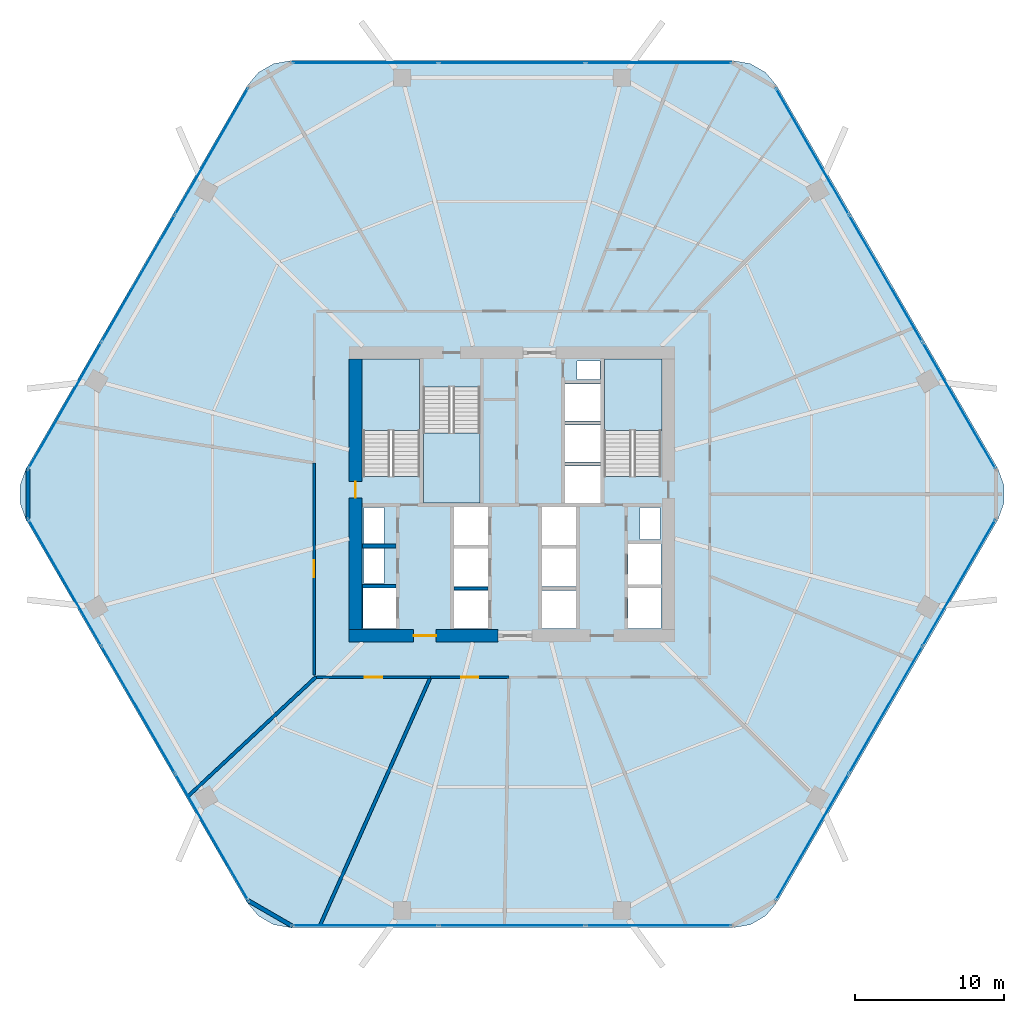
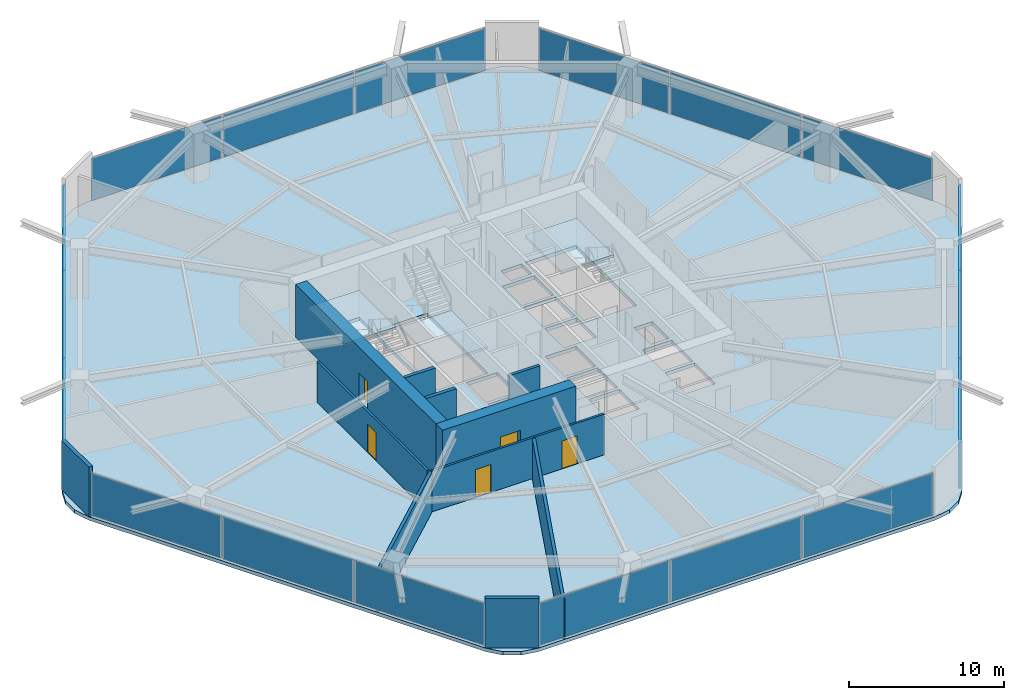
# One storey, part 21 of 25: 18 plates, 12 walls, 5 doors, 4 slabs, 5 openings, 9 elements without a shape of their own.
"""IFC4 building model written with IfcOpenShell, lengths in metres."""

from ifc_helpers import new_model, si_unit, direction, frame, frame_2d, origin, origin_2d, place, context, subcontext, project, spatial, polyline, rectangle, outline, extrude, material, layer, layer_set, type_object, element, fill, aggregate, save


model = new_model("IFC4")

# Units and contexts
model_context = context("Model", 3, precision=1e-05, world=origin(), true_north=direction((0.0, 1.0)))
body_context = subcontext(model_context, "Body", "Model", "MODEL_VIEW")
ifc_project = project(units=[si_unit("LENGTHUNIT", "METRE"), si_unit("AREAUNIT", "SQUARE_METRE"), si_unit("VOLUMEUNIT", "CUBIC_METRE"), si_unit("PLANEANGLEUNIT", "RADIAN"), si_unit("MASSUNIT", "GRAM", prefix="KILO")], contexts=[model_context])

# Site, building, storey
site_placement = place(None, origin())
site = spatial("IfcSite", under=ifc_project, at=site_placement, CompositionType="ELEMENT")
building_placement = place(site_placement, origin())
building = spatial("IfcBuilding", under=site, at=building_placement, Name="Zuhravey Tower", CompositionType="ELEMENT")
storey_placement = place(building_placement, frame((0.0, 0.0, 70.800048828125)))
storey = spatial("IfcBuildingStorey", under=building, at=storey_placement, Name="L17", CompositionType="ELEMENT", Elevation=70.800048828125)

# Curtain wall, plates
ifc_material_1 = material(Name="Thermally broken anodised aluminium", Category="aluminium")
curtain_wall_type = type_object("IfcCurtainWallType", Name="School Low-E Unitised Curtain Wall CW1", PredefinedType="NOTDEFINED", material=ifc_material_1)
curtain_wall_1_placement = place(storey_placement, origin())
curtain_wall_1 = element("IfcCurtainWall", 1, at=curtain_wall_1_placement, inside=storey, type_object=curtain_wall_type, Name="L17 CW1 CW-L17-F6-1", PredefinedType="NOTDEFINED")
ifc_material_2 = material(Name="Laminated acoustic low-E vision glass", Category="glass")
ifc_layer_1 = layer(ifc_material_2, 0.048095703125)
ifc_layer_set_1 = layer_set([ifc_layer_1], Name="Laminated acoustic low-E vision glass")
plate_type = type_object("IfcPlateType", Name="Acoustic School Vision Panel", PredefinedType="CURTAIN_PANEL", material=ifc_layer_set_1)
plate_1_placement = place(storey_placement, frame((66.000732421875, 26.045654296875, 0.08984375), z_axis=(0.0, 0.0, 1.0), x_axis=(-0.499999794119, -0.86602552265, 0.0)))
plate_1 = element("IfcPlate", 2, at=plate_1_placement, type_object=plate_type, Name="CW1 panel 1.1", PredefinedType="CURTAIN_PANEL", context=body_context, shape_type="SweptSolid", body=[
    extrude(rectangle(XDim=9.7314453125, YDim=0.048095703125, at=origin_2d()), origin(), (0.0, 0.0, 1.0), 3.31201171875),
])
plate_2_placement = place(storey_placement, frame((61.078857421875, 17.520751953125, 0.08984375), z_axis=(0.0, 0.0, 1.0), x_axis=(-0.499999794119, -0.86602552265, 0.0)))
plate_2 = element("IfcPlate", 3, at=plate_2_placement, type_object=plate_type, Name="CW1 panel 2.1", PredefinedType="CURTAIN_PANEL", context=body_context, shape_type="SweptSolid", body=[
    extrude(rectangle(XDim=9.7763671875, YDim=0.048095703125, at=origin_2d()), origin(), (0.0, 0.0, 1.0), 3.31201171875),
])
plate_3_placement = place(storey_placement, frame((56.15673828125, 8.995849609375, 0.08984375), z_axis=(0.0, 0.0, 1.0), x_axis=(-0.499999794119, -0.86602552265, 0.0)))
plate_3 = element("IfcPlate", 4, at=plate_3_placement, type_object=plate_type, Name="CW1 panel 3.1", PredefinedType="CURTAIN_PANEL", context=body_context, shape_type="SweptSolid", body=[
    extrude(rectangle(XDim=9.7314453125, YDim=0.048095703125, at=origin_2d()), origin(), (0.0, 0.0, 1.0), 3.31201171875),
])
aggregate(curtain_wall_1, [plate_1, plate_2, plate_3])

curtain_wall_2_placement = place(storey_placement, origin())
curtain_wall_2 = element("IfcCurtainWall", 5, at=curtain_wall_2_placement, inside=storey, type_object=curtain_wall_type, Name="L17 CW1 CW-L17-F5-1", PredefinedType="NOTDEFINED")
plate_4_placement = place(storey_placement, frame((45.84375, 3.04150390625, 0.08984375), z_axis=(0.0, 0.0, 1.0), x_axis=(-1.0, 0.0, 0.0)))
plate_4 = element("IfcPlate", 6, at=plate_4_placement, type_object=plate_type, Name="CW1 panel 1.1", PredefinedType="CURTAIN_PANEL", context=body_context, shape_type="SweptSolid", body=[
    extrude(rectangle(XDim=9.7314453125, YDim=0.048095703125, at=origin_2d()), origin(), (0.0, 0.0, 1.0), 3.31201171875),
])
plate_5_placement = place(storey_placement, frame((36.0, 3.04150390625, 0.08984375), z_axis=(0.0, 0.0, 1.0), x_axis=(-1.0, 0.0, 0.0)))
plate_5 = element("IfcPlate", 7, at=plate_5_placement, type_object=plate_type, Name="CW1 panel 2.1", PredefinedType="CURTAIN_PANEL", context=body_context, shape_type="SweptSolid", body=[
    extrude(rectangle(XDim=9.7763671875, YDim=0.048095703125, at=origin_2d()), origin(), (0.0, 0.0, 1.0), 3.31201171875),
])
plate_6_placement = place(storey_placement, frame((26.15625, 3.04150390625, 0.08984375), z_axis=(0.0, 0.0, 1.0), x_axis=(-1.0, 0.0, 0.0)))
plate_6 = element("IfcPlate", 8, at=plate_6_placement, type_object=plate_type, Name="CW1 panel 3.1", PredefinedType="CURTAIN_PANEL", context=body_context, shape_type="SweptSolid", body=[
    extrude(rectangle(XDim=9.7314453125, YDim=0.048095703125, at=origin_2d()), origin(), (0.0, 0.0, 1.0), 3.31201171875),
])
aggregate(curtain_wall_2, [plate_4, plate_5, plate_6])

curtain_wall_3_placement = place(storey_placement, origin())
curtain_wall_3 = element("IfcCurtainWall", 9, at=curtain_wall_3_placement, inside=storey, type_object=curtain_wall_type, Name="L17 CW1 CW-L17-F4-1", PredefinedType="NOTDEFINED")
plate_7_placement = place(storey_placement, frame((15.84326171875, 8.995849609375, 0.08984375), z_axis=(0.0, 0.0, 1.0), x_axis=(-0.499999794119, 0.86602552265, 0.0)))
plate_7 = element("IfcPlate", 10, at=plate_7_placement, type_object=plate_type, Name="CW1 panel 1.1", PredefinedType="CURTAIN_PANEL", context=body_context, shape_type="SweptSolid", body=[
    extrude(rectangle(XDim=9.7314453125, YDim=0.048095703125, at=origin_2d()), origin(), (0.0, 0.0, 1.0), 3.31201171875),
])
plate_8_placement = place(storey_placement, frame((10.921142578125, 17.520751953125, 0.08984375), z_axis=(0.0, 0.0, 1.0), x_axis=(-0.499999794119, 0.86602552265, 0.0)))
plate_8 = element("IfcPlate", 11, at=plate_8_placement, type_object=plate_type, Name="CW1 panel 2.1", PredefinedType="CURTAIN_PANEL", context=body_context, shape_type="SweptSolid", body=[
    extrude(rectangle(XDim=9.7763671875, YDim=0.048095703125, at=origin_2d()), origin(), (0.0, 0.0, 1.0), 3.31201171875),
])
plate_9_placement = place(storey_placement, frame((5.999267578125, 26.045654296875, 0.08984375), z_axis=(0.0, 0.0, 1.0), x_axis=(-0.499999794119, 0.86602552265, 0.0)))
plate_9 = element("IfcPlate", 12, at=plate_9_placement, type_object=plate_type, Name="CW1 panel 3.1", PredefinedType="CURTAIN_PANEL", context=body_context, shape_type="SweptSolid", body=[
    extrude(rectangle(XDim=9.7314453125, YDim=0.048095703125, at=origin_2d()), origin(), (0.0, 0.0, 1.0), 3.31201171875),
])
aggregate(curtain_wall_3, [plate_7, plate_8, plate_9])

curtain_wall_4_placement = place(storey_placement, origin())
curtain_wall_4 = element("IfcCurtainWall", 13, at=curtain_wall_4_placement, inside=storey, type_object=curtain_wall_type, Name="L17 CW1 CW-L17-F3-1", PredefinedType="NOTDEFINED")
plate_10_placement = place(storey_placement, frame((5.999267578125, 37.954345703125, 0.08984375), z_axis=(0.0, 0.0, 1.0), x_axis=(0.499999794119, 0.86602552265, 0.0)))
plate_10 = element("IfcPlate", 14, at=plate_10_placement, type_object=plate_type, Name="CW1 panel 1.1", PredefinedType="CURTAIN_PANEL", context=body_context, shape_type="SweptSolid", body=[
    extrude(rectangle(XDim=9.7314453125, YDim=0.048095703125, at=origin_2d()), origin(), (0.0, 0.0, 1.0), 3.31201171875),
])
plate_11_placement = place(storey_placement, frame((10.921142578125, 46.479248046875, 0.08984375), z_axis=(0.0, 0.0, 1.0), x_axis=(0.499999794119, 0.86602552265, 0.0)))
plate_11 = element("IfcPlate", 15, at=plate_11_placement, type_object=plate_type, Name="CW1 panel 2.1", PredefinedType="CURTAIN_PANEL", context=body_context, shape_type="SweptSolid", body=[
    extrude(rectangle(XDim=9.7763671875, YDim=0.048095703125, at=origin_2d()), origin(), (0.0, 0.0, 1.0), 3.31201171875),
])
plate_12_placement = place(storey_placement, frame((15.84326171875, 55.004150390625, 0.08984375), z_axis=(0.0, 0.0, 1.0), x_axis=(0.499999794119, 0.86602552265, 0.0)))
plate_12 = element("IfcPlate", 16, at=plate_12_placement, type_object=plate_type, Name="CW1 panel 3.1", PredefinedType="CURTAIN_PANEL", context=body_context, shape_type="SweptSolid", body=[
    extrude(rectangle(XDim=9.7314453125, YDim=0.048095703125, at=origin_2d()), origin(), (0.0, 0.0, 1.0), 3.31201171875),
])
aggregate(curtain_wall_4, [plate_10, plate_11, plate_12])

curtain_wall_5_placement = place(storey_placement, origin())
curtain_wall_5 = element("IfcCurtainWall", 17, at=curtain_wall_5_placement, inside=storey, type_object=curtain_wall_type, Name="L17 CW1 CW-L17-F2-1", PredefinedType="NOTDEFINED")
plate_13_placement = place(storey_placement, frame((26.15625, 60.95849609375, 0.08984375), z_axis=(0.0, 0.0, 1.0), x_axis=(1.0, 0.0, 0.0)))
plate_13 = element("IfcPlate", 18, at=plate_13_placement, type_object=plate_type, Name="CW1 panel 1.1", PredefinedType="CURTAIN_PANEL", context=body_context, shape_type="SweptSolid", body=[
    extrude(rectangle(XDim=9.7314453125, YDim=0.048095703125, at=origin_2d()), origin(), (0.0, 0.0, 1.0), 3.31201171875),
])
plate_14_placement = place(storey_placement, frame((36.0, 60.95849609375, 0.08984375), z_axis=(0.0, 0.0, 1.0), x_axis=(1.0, 0.0, 0.0)))
plate_14 = element("IfcPlate", 19, at=plate_14_placement, type_object=plate_type, Name="CW1 panel 2.1", PredefinedType="CURTAIN_PANEL", context=body_context, shape_type="SweptSolid", body=[
    extrude(rectangle(XDim=9.7763671875, YDim=0.048095703125, at=origin_2d()), origin(), (0.0, 0.0, 1.0), 3.31201171875),
])
plate_15_placement = place(storey_placement, frame((45.84375, 60.95849609375, 0.08984375), z_axis=(0.0, 0.0, 1.0), x_axis=(1.0, 0.0, 0.0)))
plate_15 = element("IfcPlate", 20, at=plate_15_placement, type_object=plate_type, Name="CW1 panel 3.1", PredefinedType="CURTAIN_PANEL", context=body_context, shape_type="SweptSolid", body=[
    extrude(rectangle(XDim=9.7314453125, YDim=0.048095703125, at=origin_2d()), origin(), (0.0, 0.0, 1.0), 3.31201171875),
])
aggregate(curtain_wall_5, [plate_13, plate_14, plate_15])

curtain_wall_6_placement = place(storey_placement, origin())
curtain_wall_6 = element("IfcCurtainWall", 21, at=curtain_wall_6_placement, inside=storey, type_object=curtain_wall_type, Name="L17 CW1 CW-L17-F1-1", PredefinedType="NOTDEFINED")
plate_16_placement = place(storey_placement, frame((56.15673828125, 55.004150390625, 0.08984375), z_axis=(0.0, 0.0, 1.0), x_axis=(0.499999794119, -0.86602552265, 0.0)))
plate_16 = element("IfcPlate", 22, at=plate_16_placement, type_object=plate_type, Name="CW1 panel 1.1", PredefinedType="CURTAIN_PANEL", context=body_context, shape_type="SweptSolid", body=[
    extrude(rectangle(XDim=9.7314453125, YDim=0.048095703125, at=origin_2d()), origin(), (0.0, 0.0, 1.0), 3.31201171875),
])
plate_17_placement = place(storey_placement, frame((61.078857421875, 46.479248046875, 0.08984375), z_axis=(0.0, 0.0, 1.0), x_axis=(0.499999794119, -0.86602552265, 0.0)))
plate_17 = element("IfcPlate", 23, at=plate_17_placement, type_object=plate_type, Name="CW1 panel 2.1", PredefinedType="CURTAIN_PANEL", context=body_context, shape_type="SweptSolid", body=[
    extrude(rectangle(XDim=9.7763671875, YDim=0.048095703125, at=origin_2d()), origin(), (0.0, 0.0, 1.0), 3.31201171875),
])
plate_18_placement = place(storey_placement, frame((66.000732421875, 37.954345703125, 0.08984375), z_axis=(0.0, 0.0, 1.0), x_axis=(0.499999794119, -0.86602552265, 0.0)))
plate_18 = element("IfcPlate", 24, at=plate_18_placement, type_object=plate_type, Name="CW1 panel 3.1", PredefinedType="CURTAIN_PANEL", context=body_context, shape_type="SweptSolid", body=[
    extrude(rectangle(XDim=9.7314453125, YDim=0.048095703125, at=origin_2d()), origin(), (0.0, 0.0, 1.0), 3.31201171875),
])
aggregate(curtain_wall_6, [plate_16, plate_17, plate_18])

# Slab
ifc_material_3 = material(Name="Concrete C50/60", Category="concrete")
ifc_layer_2 = layer(ifc_material_3, 0.280029296875)
ifc_layer_set_2 = layer_set([ifc_layer_2], Name="Concrete C50/60")
slab_type_1 = type_object("IfcSlabType", Name="School Composite Floor Slab 280", PredefinedType="FLOOR", material=ifc_layer_set_2)
slab_1_placement = place(storey_placement, frame((0.0, 0.0, -0.280029296875)))
element("IfcSlab", 25, at=slab_1_placement, inside=storey, type_object=slab_type_1, Name="L17 Floor Slab FS28", PredefinedType="FLOOR", context=body_context, shape_type="SweptSolid", body=[
    extrude(outline(polyline([(68.618408203125, 30.300048828125), (69.0224609375, 31.40966796875), (69.0224609375, 32.59033203125), (68.618408203125, 33.699951171875), (53.781494140625, 59.3984375), (53.0224609375, 60.302978515625), (52.0, 60.893310546875), (50.8369140625, 61.098388671875), (21.1630859375, 61.098388671875), (20.0, 60.893310546875), (18.9775390625, 60.302978515625), (18.218505859375, 59.3984375), (3.381591796875, 33.699951171875), (2.9775390625, 32.59033203125), (2.9775390625, 31.40966796875), (3.381591796875, 30.300048828125), (18.218505859375, 4.6015625), (18.9775390625, 3.697021484375), (20.0, 3.106689453125), (21.1630859375, 2.901611328125), (50.8369140625, 2.901611328125), (52.0, 3.106689453125), (53.0224609375, 3.697021484375), (53.781494140625, 4.6015625), (68.618408203125, 30.300048828125)]), holes=[polyline([(29.800048828125, 33.20068359375), (29.800048828125, 41.0), (26.0, 41.0), (26.0, 33.20068359375), (29.800048828125, 33.20068359375)]), polyline([(46.0, 33.20068359375), (46.0, 41.0), (42.199951171875, 41.0), (42.199951171875, 33.20068359375), (46.0, 33.20068359375)]), polyline([(30.050048828125, 39.199462890625), (30.050048828125, 31.39990234375), (33.85009765625, 31.39990234375), (33.85009765625, 39.199462890625), (30.050048828125, 39.199462890625)]), polyline([(32.10009765625, 23.0), (34.39990234375, 23.0), (34.39990234375, 25.550048828125), (32.10009765625, 25.550048828125), (32.10009765625, 23.0)]), polyline([(32.10009765625, 25.800048828125), (34.39990234375, 25.800048828125), (34.39990234375, 28.35009765625), (32.10009765625, 28.35009765625), (32.10009765625, 25.800048828125)]), polyline([(32.10009765625, 28.60009765625), (34.39990234375, 28.60009765625), (34.39990234375, 31.14990234375), (32.10009765625, 31.14990234375), (32.10009765625, 28.60009765625)]), polyline([(38.0, 23.0), (40.300048828125, 23.0), (40.300048828125, 25.550048828125), (38.0, 25.550048828125), (38.0, 23.0)]), polyline([(38.0, 25.800048828125), (40.300048828125, 25.800048828125), (40.300048828125, 28.35009765625), (38.0, 28.35009765625), (38.0, 25.800048828125)]), polyline([(38.0, 28.60009765625), (40.300048828125, 28.60009765625), (40.300048828125, 31.14990234375), (38.0, 31.14990234375), (38.0, 28.60009765625)]), polyline([(39.550048828125, 31.39990234375), (41.949951171875, 31.39990234375), (41.949951171875, 33.89990234375), (39.550048828125, 33.89990234375), (39.550048828125, 31.39990234375)]), polyline([(39.550048828125, 34.14990234375), (41.949951171875, 34.14990234375), (41.949951171875, 36.64990234375), (39.550048828125, 36.64990234375), (39.550048828125, 34.14990234375)]), polyline([(39.550048828125, 36.89990234375), (41.949951171875, 36.89990234375), (41.949951171875, 39.39990234375), (39.550048828125, 39.39990234375), (39.550048828125, 36.89990234375)]), polyline([(26.0, 23.0), (28.199951171875, 23.0), (28.199951171875, 25.699951171875), (26.0, 25.699951171875), (26.0, 23.0)]), polyline([(43.800048828125, 23.0), (46.0, 23.0), (46.0, 25.699951171875), (43.800048828125, 25.699951171875), (43.800048828125, 23.0)]), polyline([(43.800048828125, 25.949951171875), (46.0, 25.949951171875), (46.0, 28.64990234375), (43.800048828125, 28.64990234375), (43.800048828125, 25.949951171875)]), polyline([(26.050048828125, 26.0), (27.39990234375, 26.0), (27.39990234375, 28.35009765625), (26.050048828125, 28.35009765625), (26.050048828125, 26.0)]), polyline([(26.050048828125, 28.699951171875), (27.39990234375, 28.699951171875), (27.39990234375, 31.10009765625), (26.050048828125, 31.10009765625), (26.050048828125, 28.699951171875)]), polyline([(44.60009765625, 28.949951171875), (45.949951171875, 28.949951171875), (45.949951171875, 31.10009765625), (44.60009765625, 31.10009765625), (44.60009765625, 28.949951171875)]), polyline([(40.35009765625, 39.699951171875), (41.89990234375, 39.699951171875), (41.89990234375, 40.949951171875), (40.35009765625, 40.949951171875), (40.35009765625, 39.699951171875)])]), origin(), (0.0, 0.0, 1.0), 0.280029296875),
])

# Stair, slab
ifc_material_4 = material(Name="Concrete C40/50", Category="concrete")
stair_type = type_object("IfcStairType", Name="School Storey Stair Assembly 4200", PredefinedType="HALF_TURN_STAIR", material=ifc_material_4)
stair_1_placement = place(storey_placement, origin())
stair_1 = element("IfcStair", 26, at=stair_1_placement, inside=storey, type_object=stair_type, Name="L17 Core Exit Stair ST1", PredefinedType="HALF_TURN_STAIR")
ifc_layer_3 = layer(ifc_material_4, 0.199951171875)
ifc_layer_set_3 = layer_set([ifc_layer_3], Name="Concrete C40/50")
slab_type_2 = type_object("IfcSlabType", Name="Stair Landing Slab 200", PredefinedType="LANDING", material=ifc_layer_set_3)
slab_2_placement = place(storey_placement, frame((0.0, 0.0, 1.89990234375)))
slab_2 = element("IfcSlab", 27, at=slab_2_placement, type_object=slab_type_2, Name="ST1 landing 1", PredefinedType="LANDING", context=body_context, shape_type="SweptSolid", body=[
    extrude(outline(polyline([(29.800048828125, 36.280029296875), (29.800048828125, 41.072998046875), (25.927001953125, 41.072998046875), (25.927001953125, 36.280029296875), (29.800048828125, 36.280029296875)])), origin(), (0.0, 0.0, 1.0), 0.199951171875),
])
aggregate(stair_1, [slab_2])

stair_2_placement = place(storey_placement, origin())
stair_2 = element("IfcStair", 28, at=stair_2_placement, inside=storey, type_object=stair_type, Name="L17 Core Exit Stair ST2", PredefinedType="HALF_TURN_STAIR")
slab_3_placement = place(storey_placement, frame((0.0, 0.0, 1.89990234375)))
slab_3 = element("IfcSlab", 29, at=slab_3_placement, type_object=slab_type_2, Name="ST2 landing 1", PredefinedType="LANDING", context=body_context, shape_type="SweptSolid", body=[
    extrude(outline(polyline([(46.072998046875, 36.280029296875), (46.072998046875, 41.072998046875), (42.199951171875, 41.072998046875), (42.199951171875, 36.280029296875), (46.072998046875, 36.280029296875)])), origin(), (0.0, 0.0, 1.0), 0.199951171875),
])
aggregate(stair_2, [slab_3])

stair_3_placement = place(storey_placement, origin())
stair_3 = element("IfcStair", 30, at=stair_3_placement, inside=storey, type_object=stair_type, Name="L17 Core Exit Stair ST3", PredefinedType="HALF_TURN_STAIR")
slab_4_placement = place(storey_placement, frame((0.0, 0.0, 1.89990234375)))
slab_4 = element("IfcSlab", 31, at=slab_4_placement, type_object=slab_type_2, Name="ST3 landing 1", PredefinedType="LANDING", context=body_context, shape_type="SweptSolid", body=[
    extrude(outline(polyline([(30.050048828125, 36.1201171875), (30.050048828125, 31.39990234375), (33.85009765625, 31.39990234375), (33.85009765625, 36.1201171875), (30.050048828125, 36.1201171875)])), origin(), (0.0, 0.0, 1.0), 0.199951171875),
])
aggregate(stair_3, [slab_4])

# Wall, opening, door
ifc_material_5 = material(Name="Concrete C60/75", Category="concrete")
ifc_layer_4 = layer(ifc_material_5, 0.85009765625)
ifc_layer_set_4 = layer_set([ifc_layer_4], Name="Concrete C60/75")
wall_type_1 = type_object("IfcWallType", Name="Core Shear Wall 850", PredefinedType="SHEAR", material=ifc_layer_set_4)
wall_1_placement = place(storey_placement, frame((25.074951171875, 22.5, 0.0), z_axis=(0.0, 0.0, 1.0), x_axis=(1.0, 0.0, 0.0)))
wall_1 = element("IfcWall", 32, at=wall_1_placement, inside=storey, type_object=wall_type_1, Name="L17 South-West Core Shear Wall CW85", PredefinedType="SHEAR", context=body_context, shape_type="SweptSolid", body=[
    extrude(rectangle(XDim=9.97509765625, YDim=0.85009765625, at=frame_2d((4.987548828125, 0.0))), origin(), (0.0, 0.0, 1.0), 4.199951171875),
])
opening_1_placement = place(wall_1_placement, frame((4.324951171875, 0.0, 0.0)))
opening_1 = element("IfcOpeningElement", 33, at=opening_1_placement, cuts=wall_1, Name="Opening FFD1", PredefinedType="OPENING", context=body_context, shape_type="SweptSolid", body=[
    extrude(rectangle(XDim=1.5, YDim=2.14990234375, at=frame_2d((0.75, 1.074951171875))), frame((0.0, 0.43701171875, 0.0), z_axis=(0.0, -1.0, 0.0), x_axis=(1.0, 0.0, 0.0)), (0.0, 0.0, 1.0), 0.8740234375),
])
ifc_material_6 = material(Name="Galvanised fire-rated steel leaf", Category="steel")
door_type_1 = type_object("IfcDoorType", Name="Firefighting Lobby Double Door 1500x2150", OperationType="DOUBLE_DOOR_SINGLE_SWING", PredefinedType="DOOR", material=ifc_material_6)
door_1_placement = place(opening_1_placement, origin())
door_1 = element("IfcDoor", 34, at=door_1_placement, inside=storey, type_object=door_type_1, Name="L17 Firefighting Lobby West Door", OperationType="DOUBLE_DOOR_SINGLE_SWING", OverallHeight=2.14990234375, OverallWidth=1.5, PredefinedType="DOOR", context=body_context, shape_type="SweptSolid", body=[
    extrude(rectangle(XDim=1.5, YDim=2.14990234375, at=frame_2d((0.75, 1.074951171875))), frame((0.0, 0.02490234375, 0.0), z_axis=(0.0, -1.0, 0.0), x_axis=(1.0, 0.0, 0.0)), (0.0, 0.0, 1.0), 0.050048828125),
])
fill(opening_1, door_1)

wall_2_placement = place(storey_placement, frame((25.5, 22.925048828125, 0.0), z_axis=(0.0, 0.0, 1.0), x_axis=(0.0, 1.0, 0.0)))
wall_2 = element("IfcWall", 35, at=wall_2_placement, inside=storey, type_object=wall_type_1, Name="L17 West Core Shear Wall CW85", PredefinedType="SHEAR", context=body_context, shape_type="SweptSolid", body=[
    extrude(rectangle(XDim=18.14990234375, YDim=0.85009765625, at=frame_2d((9.074951171875, 0.0))), origin(), (0.0, 0.0, 1.0), 4.199951171875),
])
opening_2_placement = place(wall_2_placement, frame((8.824951171875, 0.0, 0.0)))
opening_2 = element("IfcOpeningElement", 36, at=opening_2_placement, cuts=wall_2, Name="Opening STD1", PredefinedType="OPENING", context=body_context, shape_type="SweptSolid", body=[
    extrude(rectangle(XDim=1.10009765625, YDim=2.14990234375, at=frame_2d((0.550048828125, 1.074951171875))), frame((0.0, 0.43701171875, 0.0), z_axis=(0.0, -1.0, 0.0), x_axis=(1.0, 0.0, 0.0)), (0.0, 0.0, 1.0), 0.8740234375),
])
door_type_2 = type_object("IfcDoorType", Name="Protected Stair Fire Door 1100x2150", OperationType="NOTDEFINED", PredefinedType="USERDEFINED", material=ifc_material_6)
door_2_placement = place(opening_2_placement, frame((1.10009765625, 0.0, 0.0), z_axis=(0.0, 0.0, 1.0), x_axis=(-1.0, 0.0, 0.0)))
door_2 = element("IfcDoor", 37, at=door_2_placement, inside=storey, type_object=door_type_2, Name="L17 Stair ST1 Door", ObjectType="EXITDOOR", OperationType="SINGLE_SWING_LEFT", OverallHeight=2.14990234375, OverallWidth=1.10009765625, PredefinedType="USERDEFINED", context=body_context, shape_type="SweptSolid", body=[
    extrude(rectangle(XDim=1.10009765625, YDim=2.14990234375, at=frame_2d((0.550048828125, 1.074951171875))), frame((0.0, 0.02490234375, 0.0), z_axis=(0.0, -1.0, 0.0), x_axis=(1.0, 0.0, 0.0)), (0.0, 0.0, 1.0), 0.050048828125),
])
fill(opening_2, door_2)

ifc_material_7 = material(Name="Gypsum fire-rated stud partition")
ifc_layer_5 = layer(ifc_material_7, 0.159912109375)
ifc_layer_set_5 = layer_set([ifc_layer_5], Name="Gypsum fire-rated stud partition")
wall_type_2 = type_object("IfcWallType", Name="Corridor Fire Partition 160", PredefinedType="PARTITIONING", material=ifc_layer_set_5)
wall_3_placement = place(storey_placement, frame((22.715087890625, 34.10400390625, 0.0), z_axis=(0.0, 0.0, 1.0), x_axis=(0.0, -1.0, 0.0)))
wall_3 = element("IfcWall", 38, at=wall_3_placement, inside=storey, type_object=wall_type_2, Name="L17 IW16 Partition 025", PredefinedType="PARTITIONING", context=body_context, shape_type="SweptSolid", body=[
    extrude(rectangle(XDim=14.22900390625, YDim=0.159912109375, at=frame_2d((7.114501953125, 0.0))), origin(), (0.0, 0.0, 1.0), 3.219970703125),
])
opening_3_placement = place(wall_3_placement, frame((6.53955078125, 0.0, 0.0)))
opening_3 = element("IfcOpeningElement", 39, at=opening_3_placement, cuts=wall_3, Name="Opening CLD1", PredefinedType="OPENING", context=body_context, shape_type="SweptSolid", body=[
    extrude(rectangle(XDim=1.14990234375, YDim=2.199951171875, at=frame_2d((0.574951171875, 1.10009765625))), frame((0.0, 0.092041015625, 0.0), z_axis=(0.0, -1.0, 0.0), x_axis=(1.0, 0.0, 0.0)), (0.0, 0.0, 1.0), 0.183837890625),
])
ifc_material_8 = material(Name="Acoustic timber leaf with vision lite", Category="wood")
door_type_3 = type_object("IfcDoorType", Name="Classroom Acoustic Door 1150x2200", OperationType="NOTDEFINED", PredefinedType="DOOR", material=ifc_material_8)
door_3_placement = place(opening_3_placement, frame((1.14990234375, 0.0, 0.0), z_axis=(0.0, 0.0, 1.0), x_axis=(-1.0, 0.0, 0.0)))
door_3 = element("IfcDoor", 40, at=door_3_placement, inside=storey, type_object=door_type_3, Name="L17 Door 025.1", OperationType="SINGLE_SWING_LEFT", OverallHeight=2.199951171875, OverallWidth=1.14990234375, PredefinedType="DOOR", context=body_context, shape_type="SweptSolid", body=[
    extrude(rectangle(XDim=1.14990234375, YDim=2.199951171875, at=frame_2d((0.574951171875, 1.10009765625))), frame((0.0, 0.02490234375, 0.0), z_axis=(0.0, -1.0, 0.0), x_axis=(1.0, 0.0, 0.0)), (0.0, 0.0, 1.0), 0.050048828125),
])
fill(opening_3, door_3)

wall_4_placement = place(storey_placement, frame((22.875, 19.715087890625, 0.0), z_axis=(0.0, 0.0, 1.0), x_axis=(1.0, 0.0, 0.0)))
wall_4 = element("IfcWall", 41, at=wall_4_placement, inside=storey, type_object=wall_type_2, Name="L17 IW16 Partition 026", PredefinedType="PARTITIONING", context=body_context, shape_type="SweptSolid", body=[
    extrude(rectangle(XDim=7.655517578125, YDim=0.159912109375, at=frame_2d((3.82763671875, 0.0))), origin(), (0.0, 0.0, 1.0), 3.219970703125),
])
opening_4_placement = place(wall_4_placement, frame((3.252685546875, 0.0, 0.0)))
opening_4 = element("IfcOpeningElement", 42, at=opening_4_placement, cuts=wall_4, Name="Opening CLD1", PredefinedType="OPENING", context=body_context, shape_type="SweptSolid", body=[
    extrude(rectangle(XDim=1.14990234375, YDim=2.199951171875, at=frame_2d((0.574951171875, 1.10009765625))), frame((0.0, 0.092041015625, 0.0), z_axis=(0.0, -1.0, 0.0), x_axis=(1.0, 0.0, 0.0)), (0.0, 0.0, 1.0), 0.183837890625),
])
door_4_placement = place(opening_4_placement, frame((1.14990234375, 0.0, 0.0), z_axis=(0.0, 0.0, 1.0), x_axis=(-1.0, 0.0, 0.0)))
door_4 = element("IfcDoor", 43, at=door_4_placement, inside=storey, type_object=door_type_3, Name="L17 Door 026.1", OperationType="SINGLE_SWING_RIGHT", OverallHeight=2.199951171875, OverallWidth=1.14990234375, PredefinedType="DOOR", context=body_context, shape_type="SweptSolid", body=[
    extrude(rectangle(XDim=1.14990234375, YDim=2.199951171875, at=frame_2d((0.574951171875, 1.10009765625))), frame((0.0, 0.02490234375, 0.0), z_axis=(0.0, -1.0, 0.0), x_axis=(1.0, 0.0, 0.0)), (0.0, 0.0, 1.0), 0.050048828125),
])
fill(opening_4, door_4)

wall_5_placement = place(storey_placement, frame((30.530517578125, 19.715087890625, 0.0), z_axis=(0.0, 0.0, 1.0), x_axis=(1.0, 0.0, 0.0)))
wall_5 = element("IfcWall", 44, at=wall_5_placement, inside=storey, type_object=wall_type_2, Name="L17 IW16 Partition 027", PredefinedType="PARTITIONING", context=body_context, shape_type="SweptSolid", body=[
    extrude(rectangle(XDim=5.255126953125, YDim=0.159912109375, at=frame_2d((2.62744140625, 0.0))), origin(), (0.0, 0.0, 1.0), 3.219970703125),
])
opening_5_placement = place(wall_5_placement, frame((2.052490234375, 0.0, 0.0)))
opening_5 = element("IfcOpeningElement", 45, at=opening_5_placement, cuts=wall_5, Name="Opening CLD1", PredefinedType="OPENING", context=body_context, shape_type="SweptSolid", body=[
    extrude(rectangle(XDim=1.14990234375, YDim=2.199951171875, at=frame_2d((0.574951171875, 1.10009765625))), frame((0.0, 0.092041015625, 0.0), z_axis=(0.0, -1.0, 0.0), x_axis=(1.0, 0.0, 0.0)), (0.0, 0.0, 1.0), 0.183837890625),
])
door_5_placement = place(opening_5_placement, frame((1.14990234375, 0.0, 0.0), z_axis=(0.0, 0.0, 1.0), x_axis=(-1.0, 0.0, 0.0)))
door_5 = element("IfcDoor", 46, at=door_5_placement, inside=storey, type_object=door_type_3, Name="L17 Door 027.1", OperationType="SINGLE_SWING_LEFT", OverallHeight=2.199951171875, OverallWidth=1.14990234375, PredefinedType="DOOR", context=body_context, shape_type="SweptSolid", body=[
    extrude(rectangle(XDim=1.14990234375, YDim=2.199951171875, at=frame_2d((0.574951171875, 1.10009765625))), frame((0.0, 0.02490234375, 0.0), z_axis=(0.0, -1.0, 0.0), x_axis=(1.0, 0.0, 0.0)), (0.0, 0.0, 1.0), 0.050048828125),
])
fill(opening_5, door_5)

# Walls
ifc_material_9 = material(Name="Precast concrete C40/50", Category="concrete")
ifc_layer_6 = layer(ifc_material_9, 0.280029296875)
ifc_layer_set_6 = layer_set([ifc_layer_6], Name="Precast concrete C40/50")
wall_type_3 = type_object("IfcWallType", Name="Crown Architectural Wall 280", PredefinedType="SOLIDWALL", material=ifc_layer_set_6)
wall_6_placement = place(storey_placement, frame((21.28271484375, 2.993896484375, 0.0), z_axis=(0.0, 0.0, 1.0), x_axis=(-0.866007452331, 0.500031091541, 0.0)))
element("IfcWall", 47, at=wall_6_placement, inside=storey, type_object=wall_type_3, Name="L17 Rounded Corner Closure Wall EW28-04", PredefinedType="SOLIDWALL", context=body_context, shape_type="SweptSolid", body=[
    extrude(rectangle(XDim=3.514892578125, YDim=0.280029296875, at=frame_2d((1.75732421875, 0.0))), origin(), (0.0, 0.0, 1.0), 3.919921875),
])
wall_7_placement = place(storey_placement, frame((3.521484375, 30.242431640625, 0.0), z_axis=(0.0, 0.0, 1.0), x_axis=(0.0, 1.0, 0.0)))
element("IfcWall", 48, at=wall_7_placement, inside=storey, type_object=wall_type_3, Name="L17 Rounded Corner Closure Wall EW28-06", PredefinedType="SOLIDWALL", context=body_context, shape_type="SweptSolid", body=[
    extrude(rectangle(XDim=3.51513671875, YDim=0.280029296875, at=frame_2d((1.757568359375, 0.0))), origin(), (0.0, 0.0, 1.0), 3.919921875),
])
ifc_layer_7 = layer(ifc_material_3, 0.25)
ifc_layer_set_7 = layer_set([ifc_layer_7], Name="Concrete C50/60")
wall_type_4 = type_object("IfcWallType", Name="Firefighting Shaft & Stair Wall 250", PredefinedType="SOLIDWALL", material=ifc_layer_set_7)
for number, where, z_axis, x_axis, name in (
    (49, (25.949951171875, 25.824951171875, 0.0), (0.0, 0.0, 1.0), (1.0, 0.0, 0.0), "L17 FW25 Shaft Wall 009"),
    (50, (25.949951171875, 28.52490234375, 0.0), (0.0, 0.0, 1.0), (1.0, 0.0, 0.0), "L17 FW25 Shaft Wall 010"),
):
    element("IfcWall", number, at=place(storey_placement, frame(where, z_axis=z_axis, x_axis=x_axis)), inside=storey, type_object=wall_type_4, Name=name, PredefinedType="SOLIDWALL", context=body_context, shape_type="SweptSolid", body=[
        extrude(rectangle(XDim=2.25, YDim=0.25, at=frame_2d((1.125, 0.0))), origin(), (0.0, 0.0, 1.0), 4.199951171875),
    ])
ifc_material_10 = material(Name="Gypsum acoustic stud assembly")
ifc_layer_8 = layer(ifc_material_10, 0.219970703125)
ifc_layer_set_8 = layer_set([ifc_layer_8], Name="Gypsum acoustic stud assembly")
wall_type_5 = type_object("IfcWallType", Name="School Acoustic Compartment Wall 220", PredefinedType="PARTITIONING", material=ifc_layer_set_8)
wall_8_placement = place(storey_placement, frame((32.10791015625, 25.675048828125, 0.0), z_axis=(0.0, 0.0, 1.0), x_axis=(1.0, 0.0, 0.0)))
element("IfcWall", 51, at=wall_8_placement, inside=storey, type_object=wall_type_5, Name="L17 IW22 Partition 038", PredefinedType="PARTITIONING", context=body_context, shape_type="SweptSolid", body=[
    extrude(rectangle(XDim=2.2841796875, YDim=0.219970703125, at=frame_2d((1.14208984375, 0.0))), origin(), (0.0, 0.0, 1.0), 3.919921875),
])
wall_9_placement = place(storey_placement, frame((22.849853515625, 19.7373046875, 0.0), z_axis=(0.0, 0.0, 1.0), x_axis=(-0.731360864489, -0.681990678744, 0.0)))
element("IfcWall", 52, at=wall_9_placement, inside=storey, type_object=wall_type_5, Name="L17 IW22 Partition 051", PredefinedType="PARTITIONING", context=body_context, shape_type="SweptSolid", body=[
    extrude(rectangle(XDim=11.73974609375, YDim=0.219970703125, at=frame_2d((5.869873046875, 0.0))), origin(), (0.0, 0.0, 1.0), 3.169921875),
])
wall_10_placement = place(storey_placement, frame((30.4912109375, 19.626953125, 0.0), z_axis=(0.0, 0.0, 1.0), x_axis=(-0.406746008396, -0.913541287876, 0.0)))
element("IfcWall", 53, at=wall_10_placement, inside=storey, type_object=wall_type_5, Name="L17 IW22 Partition 052", PredefinedType="PARTITIONING", context=body_context, shape_type="SweptSolid", body=[
    extrude(rectangle(XDim=18.155029296875, YDim=0.219970703125, at=frame_2d((9.07763671875, 0.0))), origin(), (0.0, 0.0, 1.0), 3.169921875),
])

save(model, "model.ifc")
